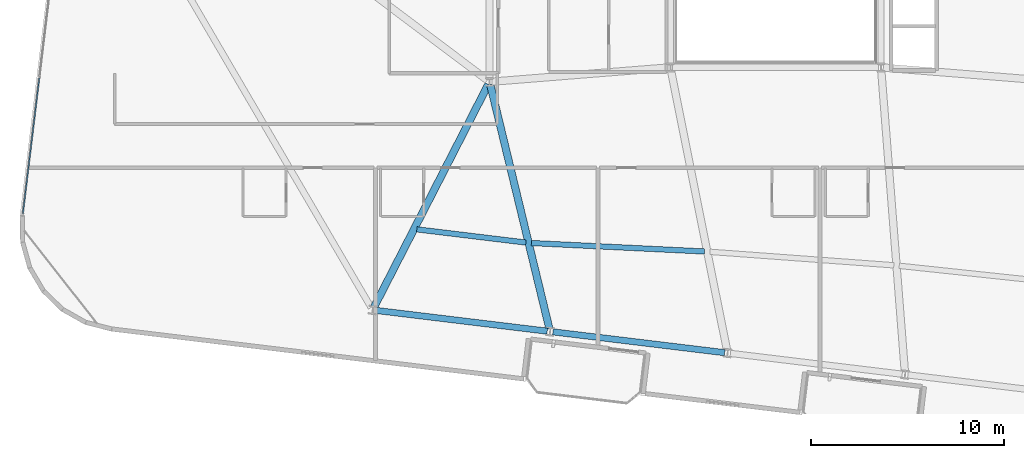
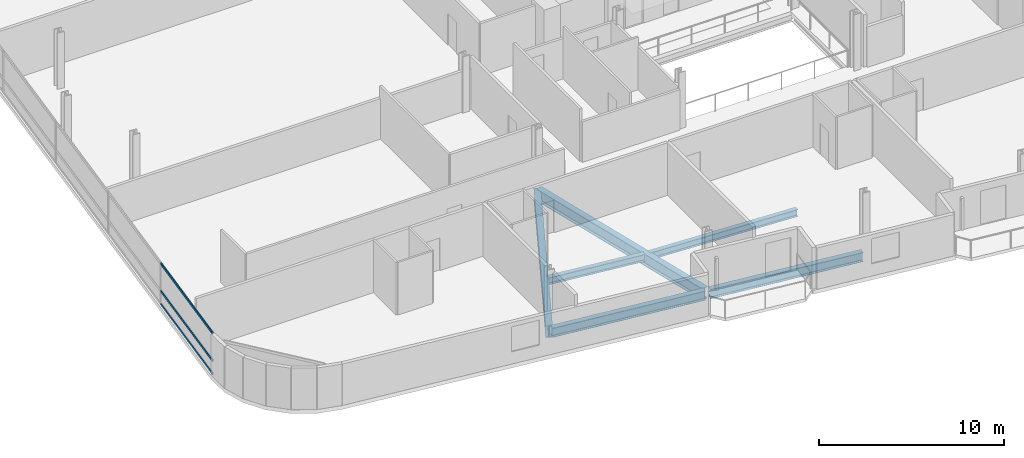
# One storey, part 3 of 25: 6 beams, 3 members, 1 element without a shape of its own.
"""IFC4 building model written with IfcOpenShell, lengths in metres."""

from ifc_helpers import new_model, si_unit, direction, frame, origin, origin_2d, place, context, subcontext, project, spatial, hollow_rectangle, i_section, extrude, material, layer, layer_set, material_profile, profile_set, type_object, element, aggregate, save


model = new_model("IFC4")

# Units and contexts
model_context = context("Model", 3, precision=1e-05, world=origin(), true_north=direction((0.0, 1.0)))
body_context = subcontext(model_context, "Body", "Model", "MODEL_VIEW")
ifc_project = project(units=[si_unit("LENGTHUNIT", "METRE"), si_unit("AREAUNIT", "SQUARE_METRE"), si_unit("VOLUMEUNIT", "CUBIC_METRE"), si_unit("PLANEANGLEUNIT", "RADIAN"), si_unit("MASSUNIT", "GRAM", prefix="KILO")], contexts=[model_context])

# Site, building, storey
site_placement = place(None, origin())
site = spatial("IfcSite", under=ifc_project, at=site_placement, CompositionType="ELEMENT")
building_placement = place(site_placement, origin())
building = spatial("IfcBuilding", under=site, at=building_placement, Name="Varnelok Gate Tower", CompositionType="ELEMENT")
storey_placement = place(building_placement, frame((0.0, 0.0, 136.5)))
storey = spatial("IfcBuildingStorey", under=building, at=storey_placement, Name="L34", CompositionType="ELEMENT", Elevation=136.5)

# Beams
ifc_material_1 = material(Name="Structural Steel ASTM A992 Grade 50", Category="steel")
ifc_material_profile_1 = material_profile(ifc_material_1, i_section(OverallWidth=0.280029296875, OverallDepth=0.462890625, WebThickness=0.0107421875, FlangeThickness=0.017333984375, FilletRadius=0.014892578125, at=origin_2d()), Name="W18X76")
ifc_profile_set_1 = profile_set([ifc_material_profile_1], Name="Structural Steel ASTM A992 Grade 50")
beam_type_1 = type_object("IfcBeamType", Name="BM-JST-W18X76", PredefinedType="JOIST", material=ifc_profile_set_1)
beam_1_placement = place(storey_placement, frame((20.634033203125, 11.169921875, -0.4814453125), z_axis=(0.992731450462, -0.120350601429, 0.0), x_axis=(0.120350601429, 0.992731450462, 0.0)))
element("IfcBeam", 1, at=beam_1_placement, inside=storey, type_object=beam_type_1, Name="L34 Sector Floor Joist 1", PredefinedType="JOIST", context=body_context, shape_type="SweptSolid", body=[
    extrude(i_section(OverallWidth=0.280029296875, OverallDepth=0.462890625, WebThickness=0.0107421875, FlangeThickness=0.017333984375, FilletRadius=0.014892578125, at=origin_2d()), origin(), (0.0, 0.0, 1.0), 5.68603515625),
])
beam_2_placement = place(storey_placement, frame((26.5576171875, 10.4619140625, -0.4814453125), z_axis=(0.998808084552, -0.0488099399, 0.0), x_axis=(0.0488099399, 0.998808084552, 0.0)))
element("IfcBeam", 2, at=beam_2_placement, inside=storey, type_object=beam_type_1, Name="L34 Sector Floor Joist 2", PredefinedType="JOIST", context=body_context, shape_type="SweptSolid", body=[
    extrude(i_section(OverallWidth=0.280029296875, OverallDepth=0.462890625, WebThickness=0.0107421875, FlangeThickness=0.017333984375, FilletRadius=0.014892578125, at=origin_2d()), origin(), (0.0, 0.0, 1.0), 8.973388671875),
])
ifc_material_profile_2 = material_profile(ifc_material_1, i_section(OverallWidth=0.381103515625, OverallDepth=0.77294921875, WebThickness=0.0166015625, FlangeThickness=0.027099609375, FilletRadius=0.02197265625, at=origin_2d()), Name="W30X173")
ifc_profile_set_2 = profile_set([ifc_material_profile_2], Name="Structural Steel ASTM A992 Grade 50")
beam_type_2 = type_object("IfcBeamType", Name="BM-PRI-W30X173", PredefinedType="BEAM", material=ifc_profile_set_2)
beam_3_placement = place(storey_placement, frame((24.33154296875, 18.66650390625, -0.636474609375), z_axis=(-0.456386604987, -0.889781583754, 0.0), x_axis=(0.889781583754, -0.456386604987, 0.0)))
element("IfcBeam", 3, at=beam_3_placement, inside=storey, type_object=beam_type_2, Name="L34 Radial Floor Girder 1", PredefinedType="BEAM", context=body_context, shape_type="SweptSolid", body=[
    extrude(i_section(OverallWidth=0.381103515625, OverallDepth=0.77294921875, WebThickness=0.0166015625, FlangeThickness=0.027099609375, FilletRadius=0.02197265625, at=origin_2d()), origin(), (0.0, 0.0, 1.0), 12.96533203125),
])
beam_4_placement = place(storey_placement, frame((24.435302734375, 18.654296875, -0.636474609375), z_axis=(0.235400453941, -0.971898465008, 0.0), x_axis=(0.971898465008, 0.235400453941, 0.0)))
element("IfcBeam", 4, at=beam_4_placement, inside=storey, type_object=beam_type_2, Name="L34 Radial Floor Girder 2", PredefinedType="BEAM", context=body_context, shape_type="SweptSolid", body=[
    extrude(i_section(OverallWidth=0.381103515625, OverallDepth=0.77294921875, WebThickness=0.0166015625, FlangeThickness=0.027099609375, FilletRadius=0.02197265625, at=origin_2d()), origin(), (0.0, 0.0, 1.0), 12.989990234375),
])
ifc_material_profile_3 = material_profile(ifc_material_1, i_section(OverallWidth=0.323974609375, OverallDepth=0.611083984375, WebThickness=0.0126953125, FlangeThickness=0.01904296875, FilletRadius=0.01806640625, at=origin_2d()), Name="W24X104")
ifc_profile_set_3 = profile_set([ifc_material_profile_3], Name="Structural Steel ASTM A992 Grade 50")
beam_type_3 = type_object("IfcBeamType", Name="BM-SPN-W24X104", PredefinedType="SPANDREL", material=ifc_profile_set_3)
for number, where, z_axis, x_axis, name in (
    (5, (18.49462890625, 6.978515625, -0.555419921875), (0.992734670707, -0.120324035735, 0.0), (0.120324035735, 0.992734670707, 0.0), "L34 Perimeter Spandrel Beam 1"),
    (6, (27.677490234375, 5.865478515625, -0.555419921875), (0.99273141198, -0.120350918849, 0.0), (0.120350918849, 0.99273141198, 0.0), "L34 Perimeter Spandrel Beam 2"),
):
    element("IfcBeam", number, at=place(storey_placement, frame(where, z_axis=z_axis, x_axis=x_axis)), inside=storey, type_object=beam_type_3, Name=name, PredefinedType="SPANDREL", context=body_context, shape_type="SweptSolid", body=[
        extrude(i_section(OverallWidth=0.323974609375, OverallDepth=0.611083984375, WebThickness=0.0126953125, FlangeThickness=0.01904296875, FilletRadius=0.01806640625, at=origin_2d()), origin(), (0.0, 0.0, 1.0), 8.949951171875),
    ])

# Curtain wall, members
ifc_material_2 = material(Name="Anodized Aluminum Alloy 6063-T6", Category="aluminium")
ifc_layer = layer(ifc_material_2, 0.179931640625)
ifc_layer_set = layer_set([ifc_layer], Name="Anodized Aluminum Alloy 6063-T6")
curtain_wall_type = type_object("IfcCurtainWallType", Name="CW3-HOTEL-VISION", PredefinedType="USERDEFINED", material=ifc_layer_set)
curtain_wall_placement = place(storey_placement, origin())
curtain_wall = element("IfcCurtainWall", 7, at=curtain_wall_placement, inside=storey, type_object=curtain_wall_type, Name="L34 West End Vision Curtain Wall", ObjectType="UNITISED CURTAIN WALL", PredefinedType="USERDEFINED")
ifc_material_profile_4 = material_profile(ifc_material_2, hollow_rectangle(XDim=0.06494140625, YDim=0.159912109375, WallThickness=0.00390625, at=origin_2d()), Name="ALU160X65X4")
ifc_profile_set_4 = profile_set([ifc_material_profile_4], Name="Anodized Aluminum Alloy 6063-T6")
member_type = type_object("IfcMemberType", Name="CW-TRAN-160", PredefinedType="USERDEFINED", material=ifc_profile_set_4)
member_1_placement = place(storey_placement, frame((0.2509765625, 11.955322265625, 0.032470703125), z_axis=(0.120344712857, 0.992732164326, 0.0), x_axis=(-0.992732164326, 0.120344712857, 0.0)))
member_1 = element("IfcMember", 8, at=member_1_placement, type_object=member_type, Name="CW3 transom 1.1", ObjectType="TRANSOM", PredefinedType="USERDEFINED", context=body_context, shape_type="SweptSolid", body=[
    extrude(hollow_rectangle(XDim=0.06494140625, YDim=0.159912109375, WallThickness=0.00390625, at=origin_2d()), origin(), (0.0, 0.0, 1.0), 7.102294921875),
])
member_2_placement = place(storey_placement, frame((0.2509765625, 11.955322265625, 0.89990234375), z_axis=(0.120344712857, 0.992732164326, 0.0), x_axis=(-0.992732164326, 0.120344712857, 0.0)))
member_2 = element("IfcMember", 9, at=member_2_placement, type_object=member_type, Name="CW3 transom 1.2", ObjectType="TRANSOM", PredefinedType="USERDEFINED", context=body_context, shape_type="SweptSolid", body=[
    extrude(hollow_rectangle(XDim=0.06494140625, YDim=0.159912109375, WallThickness=0.00390625, at=origin_2d()), origin(), (0.0, 0.0, 1.0), 7.102294921875),
])
member_3_placement = place(storey_placement, frame((0.2509765625, 11.955322265625, 2.697509765625), z_axis=(0.120344712857, 0.992732164326, 0.0), x_axis=(-0.992732164326, 0.120344712857, 0.0)))
member_3 = element("IfcMember", 10, at=member_3_placement, type_object=member_type, Name="CW3 transom 1.3", ObjectType="TRANSOM", PredefinedType="USERDEFINED", context=body_context, shape_type="SweptSolid", body=[
    extrude(hollow_rectangle(XDim=0.06494140625, YDim=0.159912109375, WallThickness=0.00390625, at=origin_2d()), origin(), (0.0, 0.0, 1.0), 7.102294921875),
])
aggregate(curtain_wall, [member_1, member_2, member_3])

save(model, "model.ifc")
